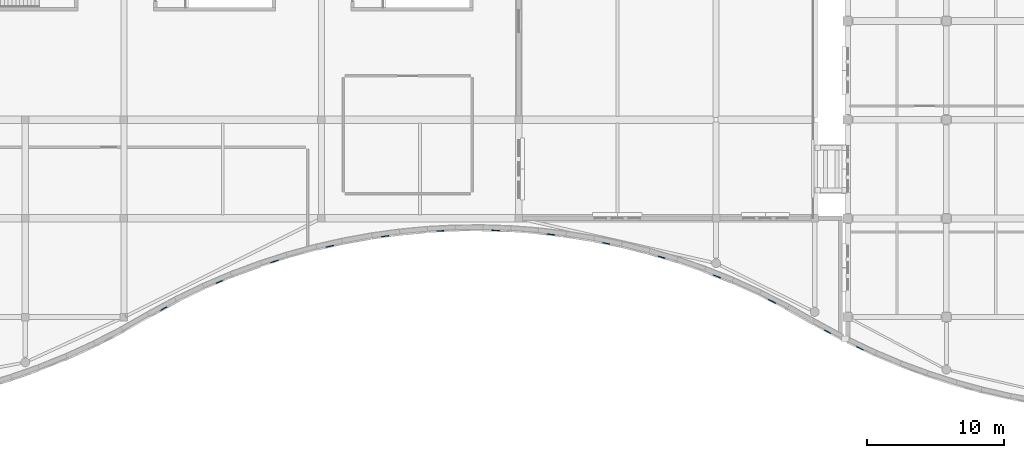
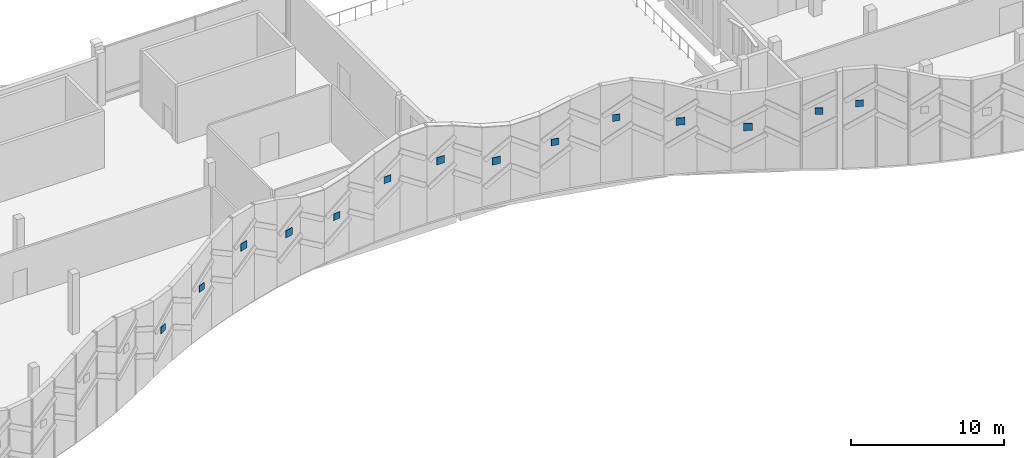
# One storey, part 73 of 116: 14 plates.
"""IFC4 building model written with IfcOpenShell, lengths in metres."""

from ifc_helpers import new_model, si_unit, direction, frame, origin, origin_2d, place, context, subcontext, project, spatial, rectangle, extrude, material, layer, layer_set, type_object, element, save


model = new_model("IFC4")

# Units and contexts
model_context = context("Model", 3, precision=1e-05, world=origin(), true_north=direction((0.0, 1.0)))
body_context = subcontext(model_context, "Body", "Model", "MODEL_VIEW")
ifc_project = project(units=[si_unit("LENGTHUNIT", "METRE"), si_unit("AREAUNIT", "SQUARE_METRE"), si_unit("VOLUMEUNIT", "CUBIC_METRE"), si_unit("PLANEANGLEUNIT", "RADIAN"), si_unit("MASSUNIT", "GRAM", prefix="KILO")], contexts=[model_context])

# Site, building, storey
site_placement = place(None, origin())
site = spatial("IfcSite", under=ifc_project, at=site_placement, CompositionType="ELEMENT")
building_placement = place(site_placement, origin())
building = spatial("IfcBuilding", under=site, at=building_placement, Name="Cendralis Lancet Convention Centre", CompositionType="ELEMENT")
storey_placement = place(building_placement, frame((0.0, 0.0, 15.0)))
storey = spatial("IfcBuildingStorey", under=building, at=storey_placement, Name="L03", CompositionType="ELEMENT", Elevation=15.0)

# Plates
ifc_material_1 = material(Name="Warm buff sandstone chevron cassette", Category="masonry")
ifc_layer_1 = layer(ifc_material_1, 0.044921875, Name="Warm buff sandstone chevron cassette")
ifc_layer_set_1 = layer_set([ifc_layer_1], Name="Warm buff sandstone chevron cassette")
plate_type_1 = type_object("IfcPlateType", Name="ARC-PL-CHV1", PredefinedType="SHEET", material=ifc_layer_set_1)
for number, where, z_axis, x_axis, name in (
    (1, (90.17919921875, 11.262451171875, 4.60791015625), (0.0, 0.0, 1.0), (0.952011943986, 0.306060873861, 0.0), "Chevron Keystone Cassette CHV-S1 #0069"),
    (2, (106.318603515625, 13.530029296875, 4.412841796875), (0.0, 0.0, 1.0), (0.999501062931, -0.031585205403, 0.0), "Chevron Keystone Cassette CHV-S1 #0081"),
    (3, (122.458251953125, 10.171630859375, 3.888916015625), (0.0, 0.0, 1.0), (0.929268028387, -0.369406187572, 0.0), "Chevron Keystone Cassette CHV-S1 #0093"),
):
    element("IfcPlate", number, at=place(storey_placement, frame(where, z_axis=z_axis, x_axis=x_axis)), inside=storey, type_object=plate_type_1, Name=name, PredefinedType="SHEET", context=body_context, shape_type="SweptSolid", body=[
        extrude(rectangle(XDim=0.580078125, YDim=0.044921875, at=origin_2d()), origin(), (0.0, 0.0, 1.0), 0.580078125),
    ])
ifc_material_2 = material(Name="Dark Andean slate chevron cassette", Category="masonry")
ifc_layer_2 = layer(ifc_material_2, 0.048095703125, Name="Dark Andean slate chevron cassette")
ifc_layer_set_2 = layer_set([ifc_layer_2], Name="Dark Andean slate chevron cassette")
plate_type_2 = type_object("IfcPlateType", Name="ARC-PL-CHV2", PredefinedType="SHEET", material=ifc_layer_set_2)
for number, where, z_axis, x_axis, name in (
    (4, (94.21435546875, 12.3671875, 3.576904296875), (0.0, 0.0, 1.0), (0.975261365164, 0.221054901821, 0.0), "Chevron Keystone Cassette CHV-D1 #0072"),
    (5, (110.353515625, 13.230712890625, 3.14599609375), (0.0, 0.0, 1.0), (0.99322754702, -0.116185368447, 0.0), "Chevron Keystone Cassette CHV-D1 #0084"),
    (6, (126.492919921875, 8.34619140625, 3.138916015625), (0.0, 0.0, 1.0), (0.891061982941, -0.453881639369, 0.0), "Chevron Keystone Cassette CHV-D1 #0096"),
):
    element("IfcPlate", number, at=place(storey_placement, frame(where, z_axis=z_axis, x_axis=x_axis)), inside=storey, type_object=plate_type_2, Name=name, PredefinedType="SHEET", context=body_context, shape_type="SweptSolid", body=[
        extrude(rectangle(XDim=0.580078125, YDim=0.048095703125, at=origin_2d()), origin(), (0.0, 0.0, 1.0), 0.580078125),
    ])
ifc_layer_3 = layer(ifc_material_1, 0.044921875, Name="Warm buff sandstone chevron cassette")
ifc_layer_set_3 = layer_set([ifc_layer_3], Name="Warm buff sandstone chevron cassette")
plate_type_3 = type_object("IfcPlateType", Name="ARC-PL-CHV3", PredefinedType="SHEET", material=ifc_layer_set_3)
for number, where, z_axis, x_axis, name in (
    (7, (82.109375, 7.822265625, 2.955078125), (0.0, 0.0, 1.0), (0.880179301323, 0.474641335667, 0.0), "Chevron Keystone Cassette CHV-S2 #0063"),
    (8, (98.248779296875, 13.102783203125, 3.076904296875), (0.0, 0.0, 1.0), (0.990576513035, 0.136960475405, 0.0), "Chevron Keystone Cassette CHV-S2 #0075"),
    (9, (114.388427734375, 12.582275390625, 3.64306640625), (0.0, 0.0, 1.0), (0.97963837175, -0.200770168587, 0.0), "Chevron Keystone Cassette CHV-S2 #0087"),
    (10, (130.5390625, 6.131103515625, 4.364990234375), (0.0, 0.0, 1.0), (0.878542143196, -0.477664843409, 0.0), "Chevron Keystone Cassette CHV-S2 #0099"),
    (11, (132.9052734375, 4.92578125, 4.875), (0.0, 0.0, 1.0), (0.903507405674, -0.428572476825, 0.0), "Chevron Keystone Cassette CHV-S2 #0102"),
):
    element("IfcPlate", number, at=place(storey_placement, frame(where, z_axis=z_axis, x_axis=x_axis)), inside=storey, type_object=plate_type_3, Name=name, PredefinedType="SHEET", context=body_context, shape_type="SweptSolid", body=[
        extrude(rectangle(XDim=0.52001953125, YDim=0.044921875, at=origin_2d()), origin(), (0.0, 0.0, 1.0), 0.52001953125),
    ])
ifc_layer_4 = layer(ifc_material_2, 0.048095703125, Name="Dark Andean slate chevron cassette")
ifc_layer_set_4 = layer_set([ifc_layer_4], Name="Dark Andean slate chevron cassette")
plate_type_4 = type_object("IfcPlateType", Name="ARC-PL-CHV4", PredefinedType="SHEET", material=ifc_layer_set_4)
for number, where, z_axis, x_axis, name in (
    (12, (86.144775390625, 9.76171875, 3.653076171875), (0.0, 0.0, 1.0), (0.920756984653, 0.390136610961, 0.0), "Chevron Keystone Cassette CHV-D2 #0066"),
    (13, (102.2841796875, 13.48779296875, 4.364990234375), (0.0, 0.0, 1.0), (0.998606603824, 0.052771685582, 0.0), "Chevron Keystone Cassette CHV-D2 #0078"),
    (14, (118.423095703125, 11.5712890625, 4.779052734375), (0.0, 0.0, 1.0), (0.958447138302, -0.285270193117, 0.0), "Chevron Keystone Cassette CHV-D2 #0090"),
):
    element("IfcPlate", number, at=place(storey_placement, frame(where, z_axis=z_axis, x_axis=x_axis)), inside=storey, type_object=plate_type_4, Name=name, PredefinedType="SHEET", context=body_context, shape_type="SweptSolid", body=[
        extrude(rectangle(XDim=0.52001953125, YDim=0.048095703125, at=origin_2d()), origin(), (0.0, 0.0, 1.0), 0.52001953125),
    ])

save(model, "model.ifc")
